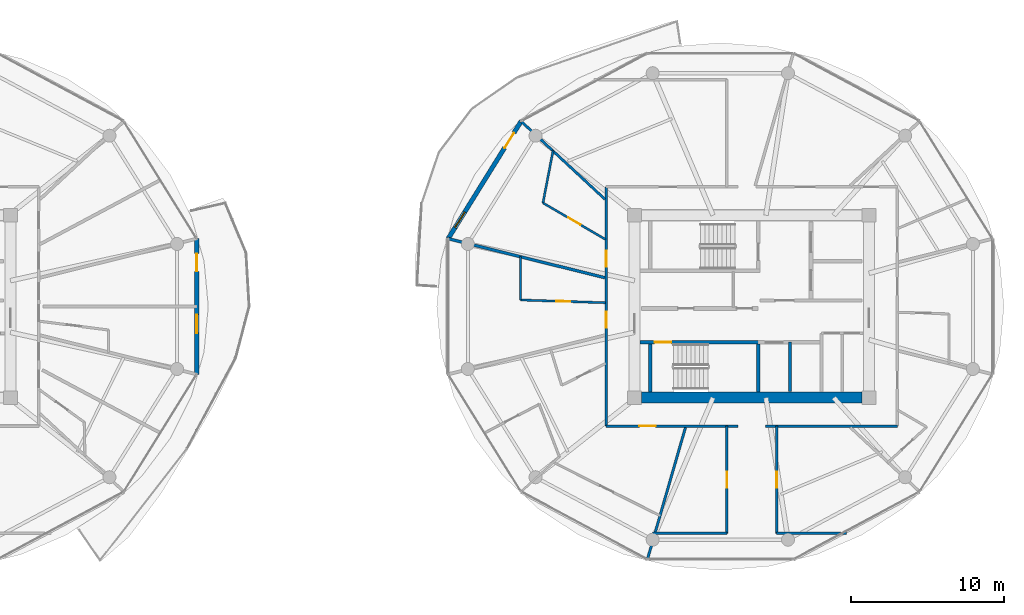
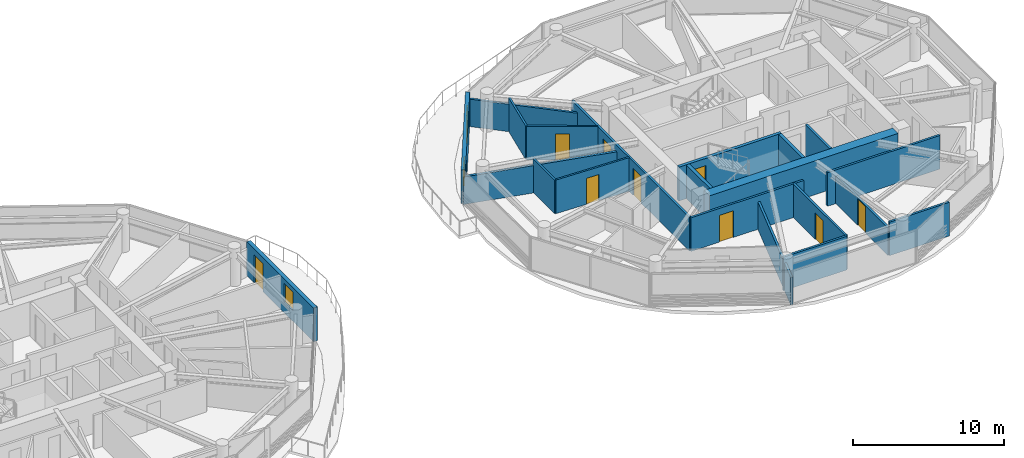
# One storey, part 16 of 22: 21 walls, 10 doors, 2 windows, 12 openings.
"""IFC4 building model written with IfcOpenShell, lengths in metres."""

from ifc_helpers import new_model, si_unit, direction, frame, frame_2d, origin, place, context, subcontext, project, spatial, rectangle, extrude, source, transform, mapped, material, layer, layer_set, type_object, type_shapes, element, fill, save


model = new_model("IFC4")

# Units and contexts
model_context = context("Model", 3, precision=1e-05, world=origin(), true_north=direction((0.0, 1.0)))
body_context = subcontext(model_context, "Body", "Model", "MODEL_VIEW")
ifc_project = project(units=[si_unit("LENGTHUNIT", "METRE"), si_unit("AREAUNIT", "SQUARE_METRE"), si_unit("VOLUMEUNIT", "CUBIC_METRE"), si_unit("PLANEANGLEUNIT", "RADIAN"), si_unit("MASSUNIT", "GRAM", prefix="KILO")], contexts=[model_context])

# Site, building, storey
site_placement = place(None, origin())
site = spatial("IfcSite", under=ifc_project, at=site_placement, CompositionType="ELEMENT")
building_placement = place(site_placement, origin())
building = spatial("IfcBuilding", under=site, at=building_placement, Name="Norrkilde Senior Care Towers", CompositionType="ELEMENT")
storey_placement = place(building_placement, frame((0.0, 0.0, 126.75)))
storey = spatial("IfcBuildingStorey", under=building, at=storey_placement, Name="L39", CompositionType="ELEMENT", Elevation=126.75)

# Wall
ifc_material_1 = material(Name="Concrete C60/75", Category="concrete")
ifc_layer_1 = layer(ifc_material_1, 0.719970703125)
ifc_layer_set_1 = layer_set([ifc_layer_1], Name="Concrete C60/75")
wall_type_1 = type_object("IfcWallType", Name="Core Shear Wall Z2 720", PredefinedType="SHEAR", material=ifc_layer_set_1)
shared_shape_1 = source(origin(), body_context, "Body", "SweptSolid", [
    extrude(rectangle(XDim=14.39990234375, YDim=0.719970703125, at=frame_2d((7.199951171875, 0.0))), origin(), (0.0, 0.0, 1.0), 2.72998046875),
])
type_shapes(wall_type_1, [shared_shape_1])
wall_1_placement = place(storey_placement, frame((35.199951171875, -5.949951171875, 0.0), z_axis=(0.0, 0.0, 1.0), x_axis=(-1.0, 0.0, 0.0)))
element("IfcWall", 1, at=wall_1_placement, inside=storey, type_object=wall_type_1, Name="L39 Core E South Shear Wall", PredefinedType="SHEAR", context=body_context, shape_type="MappedRepresentation", body=[
    mapped(shared_shape_1, transform((0.0, 0.0, 0.0), x_axis=(1.0, 0.0, 0.0), y_axis=(0.0, 1.0, 0.0), z_axis=(0.0, 0.0, 1.0), scale=1.0)),
])

# Wall, openings, door, window
ifc_material_2 = material(Name="Precast concrete C45/55", Category="concrete")
ifc_layer_2 = layer(ifc_material_2, 0.2900390625)
ifc_layer_set_2 = layer_set([ifc_layer_2], Name="Precast concrete C45/55")
wall_type_2 = type_object("IfcWallType", Name="Winter Garden Facade Wall 290", PredefinedType="SOLIDWALL", material=ifc_layer_set_2)
shared_shape_2 = source(origin(), body_context, "Body", "SweptSolid", [
    extrude(rectangle(XDim=8.84130859375, YDim=0.2900390625, at=frame_2d((4.420654296875, 0.0))), origin(), (0.0, 0.0, 1.0), 2.72998046875),
])
wall_2_placement = place(storey_placement, frame((-8.1962890625, 4.420654296875, 0.0), z_axis=(0.0, 0.0, 1.0), x_axis=(0.0, -1.0, 0.0)))
wall_2 = element("IfcWall", 2, at=wall_2_placement, inside=storey, type_object=wall_type_2, Name="L39 Drum W Balcony Access Wall 11", PredefinedType="SOLIDWALL", context=body_context, shape_type="MappedRepresentation", body=[
    mapped(shared_shape_2, transform((0.0, 0.0, 0.0), x_axis=(1.0, 0.0, 0.0), y_axis=(0.0, 1.0, 0.0), z_axis=(0.0, 0.0, 1.0), scale=1.0)),
])
opening_1_placement = place(wall_2_placement, frame((0.97998046875, 0.0, 0.0)))
opening_1 = element("IfcOpeningElement", 3, at=opening_1_placement, cuts=wall_2, Name="Opening D-09", PredefinedType="OPENING", context=body_context, shape_type="SweptSolid", body=[
    extrude(rectangle(XDim=1.14990234375, YDim=2.25, at=frame_2d((0.574951171875, 1.125))), frame((0.0, 0.155029296875, 0.0), z_axis=(0.0, -1.0, 0.0), x_axis=(1.0, 0.0, 0.0)), (0.0, 0.0, 1.0), 0.31005859375),
])
opening_2_placement = place(wall_2_placement, frame((4.95068359375, 0.0, 0.85009765625)))
opening_2 = element("IfcOpeningElement", 4, at=opening_2_placement, cuts=wall_2, Name="Opening WN-07", PredefinedType="OPENING", context=body_context, shape_type="SweptSolid", body=[
    extrude(rectangle(XDim=1.199951171875, YDim=1.5, at=frame_2d((0.60009765625, 0.75))), frame((0.0, 0.155029296875, 0.0), z_axis=(0.0, -1.0, 0.0), x_axis=(1.0, 0.0, 0.0)), (0.0, 0.0, 1.0), 0.31005859375),
])
ifc_material_3 = material(Name="Anodised Aluminium", Category="aluminium")
door_type_1 = type_object("IfcDoorType", Name="Terrace and Balcony Glazed Door 1150x2250", OperationType="NOTDEFINED", PredefinedType="DOOR", material=ifc_material_3)
shared_shape_3 = source(origin(), body_context, "Body", "SweptSolid", [
    extrude(rectangle(XDim=1.14990234375, YDim=2.25, at=frame_2d((0.574951171875, 1.125))), frame((0.0, 0.02490234375, 0.0), z_axis=(0.0, -1.0, 0.0), x_axis=(1.0, 0.0, 0.0)), (0.0, 0.0, 1.0), 0.050048828125),
])
type_shapes(door_type_1, [shared_shape_3])
door_1_placement = place(opening_1_placement, origin())
door_1 = element("IfcDoor", 5, at=door_1_placement, inside=storey, type_object=door_type_1, Name="L39 Drum W Outdoor Terrace Door 11", OperationType="SINGLE_SWING_RIGHT", OverallHeight=2.25, OverallWidth=1.14990234375, PredefinedType="DOOR", context=body_context, shape_type="MappedRepresentation", body=[
    mapped(shared_shape_3, transform((0.0, 0.0, 0.0), x_axis=(1.0, 0.0, 0.0), y_axis=(0.0, 1.0, 0.0), z_axis=(0.0, 0.0, 1.0), scale=1.0)),
])
fill(opening_1, door_1)
ifc_material_4 = material(Name="Triple Low-E Insulated Glazing", Category="glass")
window_type = type_object("IfcWindowType", Name="Stairwell Smoke Vent Window 1200x1500", PartitioningType="SINGLE_PANEL", PredefinedType="WINDOW", material=ifc_material_4)
shared_shape_4 = source(origin(), body_context, "Body", "SweptSolid", [
    extrude(rectangle(XDim=1.199951171875, YDim=1.5, at=frame_2d((0.60009765625, 0.75))), frame((0.0, 0.030029296875, 0.0), z_axis=(0.0, -1.0, 0.0), x_axis=(1.0, 0.0, 0.0)), (0.0, 0.0, 1.0), 0.06005859375),
])
type_shapes(window_type, [shared_shape_4])
window_1_placement = place(opening_2_placement, origin())
window_1 = element("IfcWindow", 6, at=window_1_placement, inside=storey, type_object=window_type, Name="L39 Drum W Winter Garden Window 11", OverallHeight=1.5, OverallWidth=1.199951171875, PartitioningType="SINGLE_PANEL", PredefinedType="WINDOW", context=body_context, shape_type="MappedRepresentation", body=[
    mapped(shared_shape_4, transform((0.0, 0.0, 0.0), x_axis=(1.0, 0.0, 0.0), y_axis=(0.0, 1.0, 0.0), z_axis=(0.0, 0.0, 1.0), scale=1.0)),
])
fill(opening_2, window_1)

shared_shape_5 = source(origin(), body_context, "Body", "SweptSolid", [
    extrude(rectangle(XDim=9.01416015625, YDim=0.2900390625, at=frame_2d((4.507080078125, 0.0))), origin(), (0.0, 0.0, 1.0), 2.72998046875),
])
type_shapes(wall_type_2, [shared_shape_2, shared_shape_5])
wall_3_placement = place(storey_placement, frame((8.1962890625, 4.420654296875, 0.0), z_axis=(0.0, 0.0, 1.0), x_axis=(0.527732945084, 0.849410347637, 0.0)))
wall_3 = element("IfcWall", 7, at=wall_3_placement, inside=storey, type_object=wall_type_2, Name="L39 Drum E Balcony Access Wall 04", PredefinedType="SOLIDWALL", context=body_context, shape_type="MappedRepresentation", body=[
    mapped(shared_shape_5, transform((0.0, 0.0, 0.0), x_axis=(1.0, 0.0, 0.0), y_axis=(0.0, 1.0, 0.0), z_axis=(0.0, 0.0, 1.0), scale=1.0)),
])
opening_3_placement = place(wall_3_placement, frame((6.97998046875, 0.0, 0.0)))
opening_3 = element("IfcOpeningElement", 8, at=opening_3_placement, cuts=wall_3, Name="Opening D-09", PredefinedType="OPENING", context=body_context, shape_type="SweptSolid", body=[
    extrude(rectangle(XDim=1.14990234375, YDim=2.25, at=frame_2d((0.574951171875, 1.125))), frame((0.0, 0.155029296875, 0.0), z_axis=(0.0, -1.0, 0.0), x_axis=(1.0, 0.0, 0.0)), (0.0, 0.0, 1.0), 0.31005859375),
])
opening_4_placement = place(wall_3_placement, frame((0.85009765625, 0.0, 0.85009765625)))
opening_4 = element("IfcOpeningElement", 9, at=opening_4_placement, cuts=wall_3, Name="Opening WN-07", PredefinedType="OPENING", context=body_context, shape_type="SweptSolid", body=[
    extrude(rectangle(XDim=1.199951171875, YDim=1.5, at=frame_2d((0.60009765625, 0.75))), frame((0.0, 0.155029296875, 0.0), z_axis=(0.0, -1.0, 0.0), x_axis=(1.0, 0.0, 0.0)), (0.0, 0.0, 1.0), 0.31005859375),
])
door_2_placement = place(opening_3_placement, origin())
door_2 = element("IfcDoor", 10, at=door_2_placement, inside=storey, type_object=door_type_1, Name="L39 Drum E Outdoor Terrace Door 04", OperationType="SINGLE_SWING_LEFT", OverallHeight=2.25, OverallWidth=1.14990234375, PredefinedType="DOOR", context=body_context, shape_type="MappedRepresentation", body=[
    mapped(shared_shape_3, transform((0.0, 0.0, 0.0), x_axis=(1.0, 0.0, 0.0), y_axis=(0.0, 1.0, 0.0), z_axis=(0.0, 0.0, 1.0), scale=1.0)),
])
fill(opening_3, door_2)
window_2_placement = place(opening_4_placement, origin())
window_2 = element("IfcWindow", 11, at=window_2_placement, inside=storey, type_object=window_type, Name="L39 Drum E Winter Garden Window 04", OverallHeight=1.5, OverallWidth=1.199951171875, PartitioningType="SINGLE_PANEL", PredefinedType="WINDOW", context=body_context, shape_type="MappedRepresentation", body=[
    mapped(shared_shape_4, transform((0.0, 0.0, 0.0), x_axis=(1.0, 0.0, 0.0), y_axis=(0.0, 1.0, 0.0), z_axis=(0.0, 0.0, 1.0), scale=1.0)),
])
fill(opening_4, window_2)

# Wall
ifc_material_5 = material(Name="Concrete C45/55", Category="concrete")
ifc_layer_3 = layer(ifc_material_5, 0.179931640625)
ifc_layer_set_3 = layer_set([ifc_layer_3], Name="Concrete C45/55")
wall_type_3 = type_object("IfcWallType", Name="Hoistway Division Rated Partition 180", PredefinedType="PARTITIONING", material=ifc_layer_set_3)
shared_shape_6 = source(origin(), body_context, "Body", "SweptSolid", [
    extrude(rectangle(XDim=3.219970703125, YDim=0.179931640625, at=frame_2d((1.60986328125, 0.0))), origin(), (0.0, 0.0, 1.0), 2.715087890625),
])
type_shapes(wall_type_3, [shared_shape_6])
wall_4_placement = place(storey_placement, frame((30.5, -5.550048828125, 0.0), z_axis=(0.0, 0.0, 1.0), x_axis=(0.0, 1.0, 0.0)))
element("IfcWall", 12, at=wall_4_placement, inside=storey, type_object=wall_type_3, Name="WL-INT-L39-E-PL34", PredefinedType="PARTITIONING", context=body_context, shape_type="MappedRepresentation", body=[
    mapped(shared_shape_6, transform((0.0, 0.0, 0.0), x_axis=(1.0, 0.0, 0.0), y_axis=(0.0, 1.0, 0.0), z_axis=(0.0, 0.0, 1.0), scale=1.0)),
])

# Wall, openings, doors
ifc_material_6 = material(Name="Gypsum Acoustic Board")
ifc_layer_4 = layer(ifc_material_6, 0.1650390625)
ifc_layer_set_4 = layer_set([ifc_layer_4], Name="Gypsum Acoustic Board")
wall_type_4 = type_object("IfcWallType", Name="Corridor Rated Partition 165", PredefinedType="PARTITIONING", material=ifc_layer_set_4)
shared_shape_7 = source(origin(), body_context, "Body", "SweptSolid", [
    extrude(rectangle(XDim=15.60009765625, YDim=0.1650390625, at=frame_2d((7.800048828125, 0.0))), origin(), (0.0, 0.0, 1.0), 2.715087890625),
])
wall_5_placement = place(storey_placement, frame((18.5, -7.800048828125, 0.0), z_axis=(0.0, 0.0, 1.0), x_axis=(0.0, 1.0, 0.0)))
wall_5 = element("IfcWall", 13, at=wall_5_placement, inside=storey, type_object=wall_type_4, Name="WL-INT-L39-E-CRW-W-0", PredefinedType="PARTITIONING", context=body_context, shape_type="MappedRepresentation", body=[
    mapped(shared_shape_7, transform((0.0, 0.0, 0.0), x_axis=(1.0, 0.0, 0.0), y_axis=(0.0, 1.0, 0.0), z_axis=(0.0, 0.0, 1.0), scale=1.0)),
])
opening_5_placement = place(wall_5_placement, frame((10.3828125, 0.0, 0.0)))
opening_5 = element("IfcOpeningElement", 14, at=opening_5_placement, cuts=wall_5, Name="Opening D-06", PredefinedType="OPENING", context=body_context, shape_type="SweptSolid", body=[
    extrude(rectangle(XDim=1.050048828125, YDim=2.14990234375, at=frame_2d((0.52490234375, 1.074951171875))), frame((0.0, 0.092529296875, 0.0), z_axis=(0.0, -1.0, 0.0), x_axis=(1.0, 0.0, 0.0)), (0.0, 0.0, 1.0), 0.18505859375),
])
opening_6_placement = place(wall_5_placement, frame((6.418701171875, 0.0, 0.0)))
opening_6 = element("IfcOpeningElement", 15, at=opening_6_placement, cuts=wall_5, Name="Opening D-06", PredefinedType="OPENING", context=body_context, shape_type="SweptSolid", body=[
    extrude(rectangle(XDim=1.050048828125, YDim=2.14990234375, at=frame_2d((0.52490234375, 1.074951171875))), frame((0.0, 0.092529296875, 0.0), z_axis=(0.0, -1.0, 0.0), x_axis=(1.0, 0.0, 0.0)), (0.0, 0.0, 1.0), 0.18505859375),
])
ifc_material_7 = material(Name="Nordic Ash Timber", Category="wood")
door_type_2 = type_object("IfcDoorType", Name="Apartment Entrance Fire Door 1050x2150", OperationType="NOTDEFINED", PredefinedType="DOOR", material=ifc_material_7)
shared_shape_8 = source(origin(), body_context, "Body", "SweptSolid", [
    extrude(rectangle(XDim=1.050048828125, YDim=2.14990234375, at=frame_2d((0.52490234375, 1.074951171875))), frame((0.0, 0.02490234375, 0.0), z_axis=(0.0, -1.0, 0.0), x_axis=(1.0, 0.0, 0.0)), (0.0, 0.0, 1.0), 0.050048828125),
])
type_shapes(door_type_2, [shared_shape_8])
door_3_placement = place(opening_5_placement, frame((1.050048828125, 0.0, 0.0), z_axis=(0.0, 0.0, 1.0), x_axis=(-1.0, 0.0, 0.0)))
door_3 = element("IfcDoor", 16, at=door_3_placement, inside=storey, type_object=door_type_2, Name="L39 Studio 39A Entrance Door", OperationType="SINGLE_SWING_LEFT", OverallHeight=2.14990234375, OverallWidth=1.050048828125, PredefinedType="DOOR", context=body_context, shape_type="MappedRepresentation", body=[
    mapped(shared_shape_8, transform((0.0, 0.0, 0.0), x_axis=(1.0, 0.0, 0.0), y_axis=(0.0, 1.0, 0.0), z_axis=(0.0, 0.0, 1.0), scale=1.0)),
])
fill(opening_5, door_3)
door_4_placement = place(opening_6_placement, frame((1.050048828125, 0.0, 0.0), z_axis=(0.0, 0.0, 1.0), x_axis=(-1.0, 0.0, 0.0)))
door_4 = element("IfcDoor", 17, at=door_4_placement, inside=storey, type_object=door_type_2, Name="L39 Studio 39B Entrance Door", OperationType="SINGLE_SWING_RIGHT", OverallHeight=2.14990234375, OverallWidth=1.050048828125, PredefinedType="DOOR", context=body_context, shape_type="MappedRepresentation", body=[
    mapped(shared_shape_8, transform((0.0, 0.0, 0.0), x_axis=(1.0, 0.0, 0.0), y_axis=(0.0, 1.0, 0.0), z_axis=(0.0, 0.0, 1.0), scale=1.0)),
])
fill(opening_6, door_4)

# Wall, opening, door
ifc_layer_5 = layer(ifc_material_5, 0.239990234375)
ifc_layer_set_5 = layer_set([ifc_layer_5], Name="Concrete C45/55")
wall_type_5 = type_object("IfcWallType", Name="Shaft and Stair Enclosure Wall 240", PredefinedType="PARTITIONING", material=ifc_layer_set_5)
shared_shape_9 = source(origin(), body_context, "Body", "SweptSolid", [
    extrude(rectangle(XDim=7.830078125, YDim=0.239990234375, at=frame_2d((3.9150390625, 0.0))), origin(), (0.0, 0.0, 1.0), 2.72998046875),
])
wall_6_placement = place(storey_placement, frame((20.7099609375, -2.330078125, 0.0), z_axis=(0.0, 0.0, 1.0), x_axis=(1.0, 0.0, 0.0)))
wall_6 = element("IfcWall", 18, at=wall_6_placement, inside=storey, type_object=wall_type_5, Name="WL-INT-L39-E-ST2N", PredefinedType="PARTITIONING", context=body_context, shape_type="MappedRepresentation", body=[
    mapped(shared_shape_9, transform((0.0, 0.0, 0.0), x_axis=(1.0, 0.0, 0.0), y_axis=(0.0, 1.0, 0.0), z_axis=(0.0, 0.0, 1.0), scale=1.0)),
])
opening_7_placement = place(wall_6_placement, frame((0.949951171875, 0.0, 0.0)))
opening_7 = element("IfcOpeningElement", 19, at=opening_7_placement, cuts=wall_6, Name="Opening D-03", PredefinedType="OPENING", context=body_context, shape_type="SweptSolid", body=[
    extrude(rectangle(XDim=1.10009765625, YDim=2.14990234375, at=frame_2d((0.550048828125, 1.074951171875))), frame((0.0, 0.1298828125, 0.0), z_axis=(0.0, -1.0, 0.0), x_axis=(1.0, 0.0, 0.0)), (0.0, 0.0, 1.0), 0.260009765625),
])
ifc_material_8 = material(Name="Galvanised Painted Steel", Category="steel")
door_type_3 = type_object("IfcDoorType", Name="Stairwell Protected Fire Door 1100x2150", OperationType="NOTDEFINED", PredefinedType="DOOR", material=ifc_material_8)
shared_shape_10 = source(origin(), body_context, "Body", "SweptSolid", [
    extrude(rectangle(XDim=1.10009765625, YDim=2.14990234375, at=frame_2d((0.550048828125, 1.074951171875))), frame((0.0, 0.02490234375, 0.0), z_axis=(0.0, -1.0, 0.0), x_axis=(1.0, 0.0, 0.0)), (0.0, 0.0, 1.0), 0.050048828125),
])
type_shapes(door_type_3, [shared_shape_10])
door_5_placement = place(opening_7_placement, frame((1.10009765625, 0.0, 0.0), z_axis=(0.0, 0.0, 1.0), x_axis=(-1.0, 0.0, 0.0)))
door_5 = element("IfcDoor", 20, at=door_5_placement, inside=storey, type_object=door_type_3, Name="L39 Stair E2 Fire Door", OperationType="SINGLE_SWING_RIGHT", OverallHeight=2.14990234375, OverallWidth=1.10009765625, PredefinedType="DOOR", context=body_context, shape_type="MappedRepresentation", body=[
    mapped(shared_shape_10, transform((0.0, 0.0, 0.0), x_axis=(1.0, 0.0, 0.0), y_axis=(0.0, 1.0, 0.0), z_axis=(0.0, 0.0, 1.0), scale=1.0)),
])
fill(opening_7, door_5)

# Walls
shared_shape_11 = source(origin(), body_context, "Body", "SweptSolid", [
    extrude(rectangle(XDim=3.14013671875, YDim=0.239990234375, at=frame_2d((1.570068359375, 0.0))), origin(), (0.0, 0.0, 1.0), 2.72998046875),
])
type_shapes(wall_type_5, [shared_shape_9, shared_shape_11])
for number, where, z_axis, x_axis, name in (
    (21, (21.3798828125, -5.590087890625, 0.0), (0.0, 0.0, 1.0), (0.0, 1.0, 0.0), "WL-INT-L39-E-ST2W"),
    (22, (28.419921875, -5.590087890625, 0.0), (0.0, 0.0, 1.0), (0.0, 1.0, 0.0), "WL-INT-L39-E-ST2E"),
):
    element("IfcWall", number, at=place(storey_placement, frame(where, z_axis=z_axis, x_axis=x_axis)), inside=storey, type_object=wall_type_5, Name=name, PredefinedType="PARTITIONING", context=body_context, shape_type="MappedRepresentation", body=[
        mapped(shared_shape_11, transform((0.0, 0.0, 0.0), x_axis=(1.0, 0.0, 0.0), y_axis=(0.0, 1.0, 0.0), z_axis=(0.0, 0.0, 1.0), scale=1.0)),
    ])
shared_shape_12 = source(origin(), body_context, "Body", "SweptSolid", [
    extrude(rectangle(XDim=8.60009765625, YDim=0.1650390625, at=frame_2d((4.300048828125, 0.0))), origin(), (0.0, 0.0, 1.0), 2.715087890625),
])
wall_7_placement = place(storey_placement, frame((37.5, -7.800048828125, 0.0), z_axis=(0.0, 0.0, 1.0), x_axis=(-1.0, 0.0, 0.0)))
element("IfcWall", 23, at=wall_7_placement, inside=storey, type_object=wall_type_4, Name="WL-INT-L39-E-CRW-S-0", PredefinedType="PARTITIONING", context=body_context, shape_type="MappedRepresentation", body=[
    mapped(shared_shape_12, transform((0.0, 0.0, 0.0), x_axis=(1.0, 0.0, 0.0), y_axis=(0.0, 1.0, 0.0), z_axis=(0.0, 0.0, 1.0), scale=1.0)),
])

# Wall, opening, door
wall_8_placement = place(storey_placement, frame((27.10009765625, -7.800048828125, 0.0), z_axis=(0.0, 0.0, 1.0), x_axis=(-1.0, 0.0, 0.0)))
wall_8 = element("IfcWall", 24, at=wall_8_placement, inside=storey, type_object=wall_type_4, Name="WL-INT-L39-E-CRW-S-1", PredefinedType="PARTITIONING", context=body_context, shape_type="MappedRepresentation", body=[
    mapped(shared_shape_12, transform((0.0, 0.0, 0.0), x_axis=(1.0, 0.0, 0.0), y_axis=(0.0, 1.0, 0.0), z_axis=(0.0, 0.0, 1.0), scale=1.0)),
])
opening_8_placement = place(wall_8_placement, frame((5.375, 0.0, 0.0)))
opening_8 = element("IfcOpeningElement", 25, at=opening_8_placement, cuts=wall_8, Name="Opening D-06", PredefinedType="OPENING", context=body_context, shape_type="SweptSolid", body=[
    extrude(rectangle(XDim=1.050048828125, YDim=2.14990234375, at=frame_2d((0.52490234375, 1.074951171875))), frame((0.0, 0.092529296875, 0.0), z_axis=(0.0, -1.0, 0.0), x_axis=(1.0, 0.0, 0.0)), (0.0, 0.0, 1.0), 0.18505859375),
])
door_6_placement = place(opening_8_placement, frame((1.050048828125, 0.0, 0.0), z_axis=(0.0, 0.0, 1.0), x_axis=(-1.0, 0.0, 0.0)))
door_6 = element("IfcDoor", 26, at=door_6_placement, inside=storey, type_object=door_type_2, Name="Apartment 39C Entrance Door", OperationType="SINGLE_SWING_LEFT", OverallHeight=2.14990234375, OverallWidth=1.050048828125, PredefinedType="DOOR", context=body_context, shape_type="MappedRepresentation", body=[
    mapped(shared_shape_8, transform((0.0, 0.0, 0.0), x_axis=(1.0, 0.0, 0.0), y_axis=(0.0, 1.0, 0.0), z_axis=(0.0, 0.0, 1.0), scale=1.0)),
])
fill(opening_8, door_6)

# Walls
shared_shape_13 = source(origin(), body_context, "Body", "SweptSolid", [
    extrude(rectangle(XDim=8.9892578125, YDim=0.1650390625, at=frame_2d((4.49462890625, 0.0))), origin(), (0.0, 0.0, 1.0), 2.215087890625),
])
wall_9_placement = place(storey_placement, frame((23.677978515625, -7.8798828125, 0.0), z_axis=(0.0, 0.0, 1.0), x_axis=(-0.27702323008, -0.960863221274, 0.0)))
element("IfcWall", 27, at=wall_9_placement, inside=storey, type_object=wall_type_4, Name="WL-INT-L39-E-DEM-08-0", PredefinedType="PARTITIONING", context=body_context, shape_type="MappedRepresentation", body=[
    mapped(shared_shape_13, transform((0.0, 0.0, 0.0), x_axis=(1.0, 0.0, 0.0), y_axis=(0.0, 1.0, 0.0), z_axis=(0.0, 0.0, 1.0), scale=1.0)),
])
shared_shape_14 = source(origin(), body_context, "Body", "SweptSolid", [
    extrude(rectangle(XDim=7.482177734375, YDim=0.1650390625, at=frame_2d((3.7412109375, 0.0))), origin(), (0.0, 0.0, 1.0), 2.215087890625),
])
wall_10_placement = place(storey_placement, frame((18.419921875, 6.998046875, 0.0), z_axis=(0.0, 0.0, 1.0), x_axis=(-0.732508698043, 0.680757671489, 0.0)))
element("IfcWall", 28, at=wall_10_placement, inside=storey, type_object=wall_type_4, Name="WL-INT-L39-E-DEM-04-0", PredefinedType="PARTITIONING", context=body_context, shape_type="MappedRepresentation", body=[
    mapped(shared_shape_14, transform((0.0, 0.0, 0.0), x_axis=(1.0, 0.0, 0.0), y_axis=(0.0, 1.0, 0.0), z_axis=(0.0, 0.0, 1.0), scale=1.0)),
])

# Wall, opening, door
shared_shape_15 = source(origin(), body_context, "Body", "SweptSolid", [
    extrude(rectangle(XDim=6.989990234375, YDim=0.1650390625, at=frame_2d((3.4951171875, 0.0))), origin(), (0.0, 0.0, 1.0), 2.215087890625),
])
wall_11_placement = place(storey_placement, frame((29.6201171875, -14.7900390625, 0.0), z_axis=(0.0, 0.0, 1.0), x_axis=(0.0, 1.0, 0.0)))
wall_11 = element("IfcWall", 29, at=wall_11_placement, inside=storey, type_object=wall_type_4, Name="WL-INT-L39-E-PKW-SEL", PredefinedType="PARTITIONING", context=body_context, shape_type="MappedRepresentation", body=[
    mapped(shared_shape_15, transform((0.0, 0.0, 0.0), x_axis=(1.0, 0.0, 0.0), y_axis=(0.0, 1.0, 0.0), z_axis=(0.0, 0.0, 1.0), scale=1.0)),
])
opening_9_placement = place(wall_11_placement, frame((2.969970703125, 0.0, 0.0)))
opening_9 = element("IfcOpeningElement", 30, at=opening_9_placement, cuts=wall_11, Name="Opening D-06", PredefinedType="OPENING", context=body_context, shape_type="SweptSolid", body=[
    extrude(rectangle(XDim=1.050048828125, YDim=2.14990234375, at=frame_2d((0.52490234375, 1.074951171875))), frame((0.0, 0.092529296875, 0.0), z_axis=(0.0, -1.0, 0.0), x_axis=(1.0, 0.0, 0.0)), (0.0, 0.0, 1.0), 0.18505859375),
])
door_7_placement = place(opening_9_placement, frame((1.050048828125, 0.0, 0.0), z_axis=(0.0, 0.0, 1.0), x_axis=(-1.0, 0.0, 0.0)))
door_7 = element("IfcDoor", 31, at=door_7_placement, inside=storey, type_object=door_type_2, Name="L39 Reading Lounge SEL Door", OperationType="SINGLE_SWING_RIGHT", OverallHeight=2.14990234375, OverallWidth=1.050048828125, PredefinedType="DOOR", context=body_context, shape_type="MappedRepresentation", body=[
    mapped(shared_shape_8, transform((0.0, 0.0, 0.0), x_axis=(1.0, 0.0, 0.0), y_axis=(0.0, 1.0, 0.0), z_axis=(0.0, 0.0, 1.0), scale=1.0)),
])
fill(opening_9, door_7)

# Wall
shared_shape_16 = source(origin(), body_context, "Body", "SweptSolid", [
    extrude(rectangle(XDim=4.5693359375, YDim=0.1650390625, at=frame_2d((2.28466796875, 0.0))), origin(), (0.0, 0.0, 1.0), 2.715087890625),
])
wall_12_placement = place(storey_placement, frame((29.6201171875, -14.7900390625, 0.0), z_axis=(0.0, 0.0, 1.0), x_axis=(1.0, 0.0, 0.0)))
element("IfcWall", 32, at=wall_12_placement, inside=storey, type_object=wall_type_4, Name="WL-INT-L39-E-PKH-SEL-0", PredefinedType="PARTITIONING", context=body_context, shape_type="MappedRepresentation", body=[
    mapped(shared_shape_16, transform((0.0, 0.0, 0.0), x_axis=(1.0, 0.0, 0.0), y_axis=(0.0, 1.0, 0.0), z_axis=(0.0, 0.0, 1.0), scale=1.0)),
])

# Wall, opening, door
shared_shape_17 = source(origin(), body_context, "Body", "SweptSolid", [
    extrude(rectangle(XDim=6.989990234375, YDim=0.1650390625, at=frame_2d((3.4951171875, 0.0))), origin(), (0.0, 0.0, 1.0), 2.715087890625),
])
wall_13_placement = place(storey_placement, frame((26.3798828125, -14.7900390625, 0.0), z_axis=(0.0, 0.0, 1.0), x_axis=(0.0, 1.0, 0.0)))
wall_13 = element("IfcWall", 33, at=wall_13_placement, inside=storey, type_object=wall_type_4, Name="WL-INT-L39-E-PKW-SWL", PredefinedType="PARTITIONING", context=body_context, shape_type="MappedRepresentation", body=[
    mapped(shared_shape_17, transform((0.0, 0.0, 0.0), x_axis=(1.0, 0.0, 0.0), y_axis=(0.0, 1.0, 0.0), z_axis=(0.0, 0.0, 1.0), scale=1.0)),
])
opening_10_placement = place(wall_13_placement, frame((2.969970703125, 0.0, 0.0)))
opening_10 = element("IfcOpeningElement", 34, at=opening_10_placement, cuts=wall_13, Name="Opening D-06", PredefinedType="OPENING", context=body_context, shape_type="SweptSolid", body=[
    extrude(rectangle(XDim=1.050048828125, YDim=2.14990234375, at=frame_2d((0.52490234375, 1.074951171875))), frame((0.0, 0.092529296875, 0.0), z_axis=(0.0, -1.0, 0.0), x_axis=(1.0, 0.0, 0.0)), (0.0, 0.0, 1.0), 0.18505859375),
])
door_8_placement = place(opening_10_placement, frame((1.050048828125, 0.0, 0.0), z_axis=(0.0, 0.0, 1.0), x_axis=(-1.0, 0.0, 0.0)))
door_8 = element("IfcDoor", 35, at=door_8_placement, inside=storey, type_object=door_type_2, Name="L39 Reading Lounge SWL Door", OperationType="SINGLE_SWING_RIGHT", OverallHeight=2.14990234375, OverallWidth=1.050048828125, PredefinedType="DOOR", context=body_context, shape_type="MappedRepresentation", body=[
    mapped(shared_shape_8, transform((0.0, 0.0, 0.0), x_axis=(1.0, 0.0, 0.0), y_axis=(0.0, 1.0, 0.0), z_axis=(0.0, 0.0, 1.0), scale=1.0)),
])
fill(opening_10, door_8)

# Walls
shared_shape_18 = source(origin(), body_context, "Body", "SweptSolid", [
    extrude(rectangle(XDim=4.8505859375, YDim=0.1650390625, at=frame_2d((2.42529296875, 0.0))), origin(), (0.0, 0.0, 1.0), 2.715087890625),
])
type_shapes(wall_type_4, [shared_shape_7, shared_shape_12, shared_shape_13, shared_shape_14, shared_shape_15, shared_shape_16, shared_shape_17, shared_shape_18])
wall_14_placement = place(storey_placement, frame((21.529296875, -14.7900390625, 0.0), z_axis=(0.0, 0.0, 1.0), x_axis=(1.0, 0.0, 0.0)))
element("IfcWall", 36, at=wall_14_placement, inside=storey, type_object=wall_type_4, Name="WL-INT-L39-E-PKH-SWL-0", PredefinedType="PARTITIONING", context=body_context, shape_type="MappedRepresentation", body=[
    mapped(shared_shape_18, transform((0.0, 0.0, 0.0), x_axis=(1.0, 0.0, 0.0), y_axis=(0.0, 1.0, 0.0), z_axis=(0.0, 0.0, 1.0), scale=1.0)),
])
ifc_layer_6 = layer(ifc_material_6, 0.18994140625)
ifc_layer_set_6 = layer_set([ifc_layer_6], Name="Gypsum Acoustic Board")
wall_type_6 = type_object("IfcWallType", Name="Unit Demising Acoustic Wall 190", PredefinedType="PARTITIONING", material=ifc_layer_set_6)
shared_shape_19 = source(origin(), body_context, "Body", "SweptSolid", [
    extrude(rectangle(XDim=10.5556640625, YDim=0.18994140625, at=frame_2d((5.27783203125, 0.0))), origin(), (0.0, 0.0, 1.0), 2.215087890625),
])
type_shapes(wall_type_6, [shared_shape_19])
wall_15_placement = place(storey_placement, frame((18.419921875, 1.875, 0.0), z_axis=(0.0, 0.0, 1.0), x_axis=(-0.970363857851, 0.241648470667, 0.0)))
element("IfcWall", 37, at=wall_15_placement, inside=storey, type_object=wall_type_6, Name="WL-INT-L39-E-DEM-05-0", PredefinedType="PARTITIONING", context=body_context, shape_type="MappedRepresentation", body=[
    mapped(shared_shape_19, transform((0.0, 0.0, 0.0), x_axis=(1.0, 0.0, 0.0), y_axis=(0.0, 1.0, 0.0), z_axis=(0.0, 0.0, 1.0), scale=1.0)),
])

# Wall, opening, door
ifc_layer_7 = layer(ifc_material_6, 0.139892578125)
ifc_layer_set_7 = layer_set([ifc_layer_7], Name="Gypsum Acoustic Board")
wall_type_7 = type_object("IfcWallType", Name="En-suite Wet Room Wall 140", PredefinedType="PARTITIONING", material=ifc_layer_set_7)
shared_shape_20 = source(origin(), body_context, "Body", "SweptSolid", [
    extrude(rectangle(XDim=4.7353515625, YDim=0.139892578125, at=frame_2d((2.36767578125, 0.0))), origin(), (0.0, 0.0, 1.0), 2.715087890625),
])
wall_16_placement = place(storey_placement, frame((18.469970703125, 4.36767578125, 0.0), z_axis=(0.0, 0.0, 1.0), x_axis=(-0.863537576642, 0.504284496814, 0.0)))
wall_16 = element("IfcWall", 38, at=wall_16_placement, inside=storey, type_object=wall_type_7, Name="WL-INT-L39-E-ES-04", PredefinedType="PARTITIONING", context=body_context, shape_type="MappedRepresentation", body=[
    mapped(shared_shape_20, transform((0.0, 0.0, 0.0), x_axis=(1.0, 0.0, 0.0), y_axis=(0.0, 1.0, 0.0), z_axis=(0.0, 0.0, 1.0), scale=1.0)),
])
opening_11_placement = place(wall_16_placement, frame((1.90771484375, 0.0, 0.0)))
opening_11 = element("IfcOpeningElement", 39, at=opening_11_placement, cuts=wall_16, Name="Opening D-08", PredefinedType="OPENING", context=body_context, shape_type="SweptSolid", body=[
    extrude(rectangle(XDim=0.919921875, YDim=2.10009765625, at=frame_2d((0.4599609375, 1.050048828125))), frame((0.0, 0.079833984375, 0.0), z_axis=(0.0, -1.0, 0.0), x_axis=(1.0, 0.0, 0.0)), (0.0, 0.0, 1.0), 0.159912109375),
])
door_type_4 = type_object("IfcDoorType", Name="Accessible Wet Room Door 920x2100", OperationType="NOTDEFINED", PredefinedType="DOOR", material=ifc_material_7)
shared_shape_21 = source(origin(), body_context, "Body", "SweptSolid", [
    extrude(rectangle(XDim=0.919921875, YDim=2.10009765625, at=frame_2d((0.4599609375, 1.050048828125))), frame((0.0, 0.02490234375, 0.0), z_axis=(0.0, -1.0, 0.0), x_axis=(1.0, 0.0, 0.0)), (0.0, 0.0, 1.0), 0.050048828125),
])
type_shapes(door_type_4, [shared_shape_21])
door_9_placement = place(opening_11_placement, origin())
door_9 = element("IfcDoor", 40, at=door_9_placement, inside=storey, type_object=door_type_4, Name="L39 Studio 39A Bathroom Door", OperationType="SINGLE_SWING_RIGHT", OverallHeight=2.10009765625, OverallWidth=0.919921875, PredefinedType="DOOR", context=body_context, shape_type="MappedRepresentation", body=[
    mapped(shared_shape_21, transform((0.0, 0.0, 0.0), x_axis=(1.0, 0.0, 0.0), y_axis=(0.0, 1.0, 0.0), z_axis=(0.0, 0.0, 1.0), scale=1.0)),
])
fill(opening_11, door_9)

# Wall
shared_shape_22 = source(origin(), body_context, "Body", "SweptSolid", [
    extrude(rectangle(XDim=3.4990234375, YDim=0.139892578125, at=frame_2d((1.74951171875, 0.0))), origin(), (0.0, 0.0, 1.0), 2.715087890625),
])
wall_17_placement = place(storey_placement, frame((14.380859375, 6.755615234375, 0.0), z_axis=(0.0, 0.0, 1.0), x_axis=(0.18957713629, 0.981865830649, 0.0)))
element("IfcWall", 41, at=wall_17_placement, inside=storey, type_object=wall_type_7, Name="WL-INT-L39-E-EF-04", PredefinedType="PARTITIONING", context=body_context, shape_type="MappedRepresentation", body=[
    mapped(shared_shape_22, transform((0.0, 0.0, 0.0), x_axis=(1.0, 0.0, 0.0), y_axis=(0.0, 1.0, 0.0), z_axis=(0.0, 0.0, 1.0), scale=1.0)),
])

# Wall, opening, door
shared_shape_23 = source(origin(), body_context, "Body", "SweptSolid", [
    extrude(rectangle(XDim=5.556884765625, YDim=0.139892578125, at=frame_2d((2.7783203125, 0.0))), origin(), (0.0, 0.0, 1.0), 2.715087890625),
])
wall_18_placement = place(storey_placement, frame((18.469970703125, 0.244140625, 0.0), z_axis=(0.0, 0.0, 1.0), x_axis=(-0.999468495627, 0.03259948234, 0.0)))
wall_18 = element("IfcWall", 42, at=wall_18_placement, inside=storey, type_object=wall_type_7, Name="WL-INT-L39-E-ES-05", PredefinedType="PARTITIONING", context=body_context, shape_type="MappedRepresentation", body=[
    mapped(shared_shape_23, transform((0.0, 0.0, 0.0), x_axis=(1.0, 0.0, 0.0), y_axis=(0.0, 1.0, 0.0), z_axis=(0.0, 0.0, 1.0), scale=1.0)),
])
opening_12_placement = place(wall_18_placement, frame((2.318359375, 0.0, 0.0)))
opening_12 = element("IfcOpeningElement", 43, at=opening_12_placement, cuts=wall_18, Name="Opening D-08", PredefinedType="OPENING", context=body_context, shape_type="SweptSolid", body=[
    extrude(rectangle(XDim=0.919921875, YDim=2.10009765625, at=frame_2d((0.4599609375, 1.050048828125))), frame((0.0, 0.079833984375, 0.0), z_axis=(0.0, -1.0, 0.0), x_axis=(1.0, 0.0, 0.0)), (0.0, 0.0, 1.0), 0.159912109375),
])
door_10_placement = place(opening_12_placement, origin())
door_10 = element("IfcDoor", 44, at=door_10_placement, inside=storey, type_object=door_type_4, Name="L39 Studio 39B Bathroom Door", OperationType="SINGLE_SWING_LEFT", OverallHeight=2.10009765625, OverallWidth=0.919921875, PredefinedType="DOOR", context=body_context, shape_type="MappedRepresentation", body=[
    mapped(shared_shape_21, transform((0.0, 0.0, 0.0), x_axis=(1.0, 0.0, 0.0), y_axis=(0.0, 1.0, 0.0), z_axis=(0.0, 0.0, 1.0), scale=1.0)),
])
fill(opening_12, door_10)

# Wall
shared_shape_24 = source(origin(), body_context, "Body", "SweptSolid", [
    extrude(rectangle(XDim=2.836669921875, YDim=0.139892578125, at=frame_2d((1.41845703125, 0.0))), origin(), (0.0, 0.0, 1.0), 2.715087890625),
])
type_shapes(wall_type_7, [shared_shape_20, shared_shape_22, shared_shape_23, shared_shape_24])
wall_19_placement = place(storey_placement, frame((12.916015625, 0.42529296875, 0.0), z_axis=(0.0, 0.0, 1.0), x_axis=(0.002409838945, 0.999997096334, 0.0)))
element("IfcWall", 45, at=wall_19_placement, inside=storey, type_object=wall_type_7, Name="WL-INT-L39-E-EF-05", PredefinedType="PARTITIONING", context=body_context, shape_type="MappedRepresentation", body=[
    mapped(shared_shape_24, transform((0.0, 0.0, 0.0), x_axis=(1.0, 0.0, 0.0), y_axis=(0.0, 1.0, 0.0), z_axis=(0.0, 0.0, 1.0), scale=1.0)),
])

save(model, "model.ifc")
